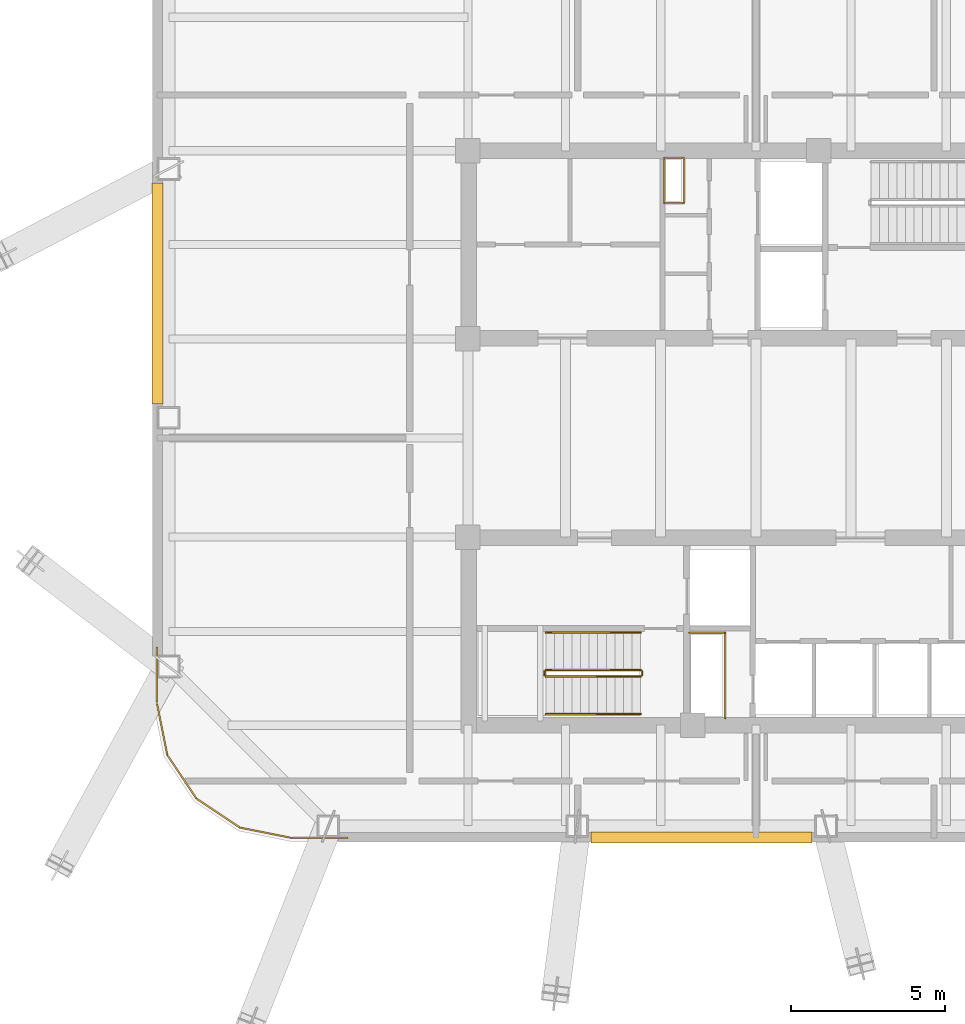
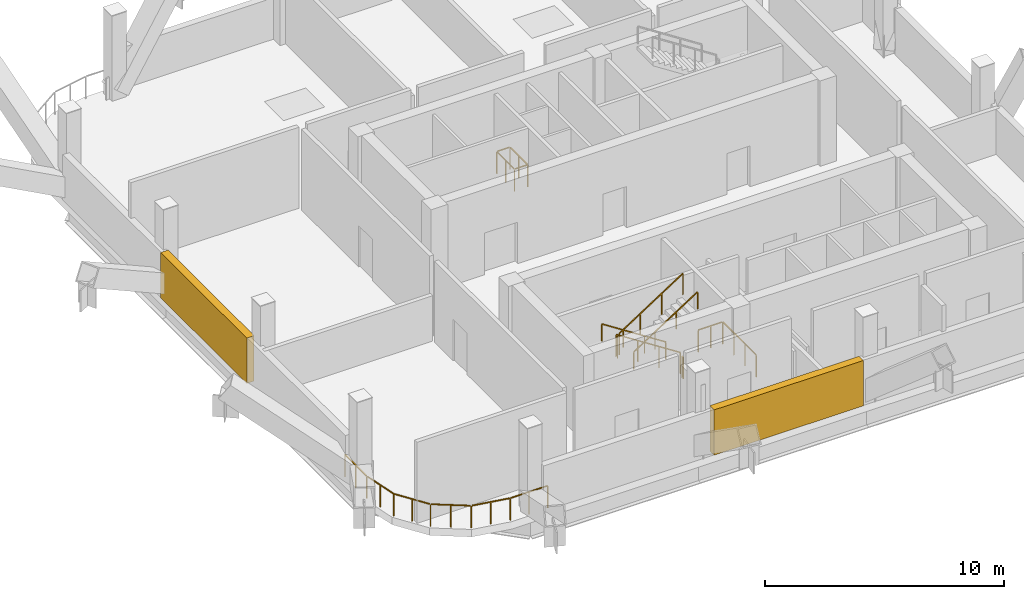
# One storey, part 6 of 8: 9 railings, 2 shading devices.
"""IFC4 building model written with IfcOpenShell, lengths in metres."""

from ifc_helpers import new_model, si_unit, direction, frame, origin, origin_2d, place, context, subcontext, project, spatial, rectangle, extrude, material, type_object, element, save


model = new_model("IFC4")

# Units and contexts
model_context = context("Model", 3, precision=1e-05, world=origin(), true_north=direction((0.0, 1.0)))
body_context = subcontext(model_context, "Body", "Model", "MODEL_VIEW")
ifc_project = project(units=[si_unit("LENGTHUNIT", "METRE"), si_unit("AREAUNIT", "SQUARE_METRE"), si_unit("VOLUMEUNIT", "CUBIC_METRE"), si_unit("PLANEANGLEUNIT", "RADIAN"), si_unit("MASSUNIT", "GRAM", prefix="KILO")], contexts=[model_context])

# Site, building, storey
site_placement = place(None, origin())
site = spatial("IfcSite", under=ifc_project, at=site_placement, CompositionType="ELEMENT")
building_placement = place(site_placement, origin())
building = spatial("IfcBuilding", under=site, at=building_placement, Name="Qhalaya Broadcast Tower", CompositionType="ELEMENT")
storey_placement = place(building_placement, frame((0.0, 0.0, 151.800048828125)))
storey = spatial("IfcBuildingStorey", under=building, at=storey_placement, Name="L44", CompositionType="ELEMENT", Elevation=151.800048828125)

# Shading devices
ifc_material_1 = material(Name="Fired Architectural Terracotta", Category="masonry")
shading_device_type = type_object("IfcShadingDeviceType", Name="Plant & Turbine-Slot Acoustic Louvre Screen LVS-01", PredefinedType="USERDEFINED", material=ifc_material_1)
for number, where, z_axis, x_axis, name in (
    (1, (-1.77001953125, -12.39990234375, 0.0), (0.0, 0.0, 1.0), (-1.0, 0.0, 0.0), "L44 Plant Acoustic Louvre Screen S"),
    (2, (-19.47998046875, 5.31005859375, 0.0), (0.0, 0.0, 1.0), (0.0, 1.0, 0.0), "L44 Plant Acoustic Louvre Screen W"),
):
    element("IfcShadingDevice", number, at=place(storey_placement, frame(where, z_axis=z_axis, x_axis=x_axis)), inside=storey, type_object=shading_device_type, Name=name, ObjectType="LOUVRE", PredefinedType="USERDEFINED", context=body_context, shape_type="SweptSolid", body=[
        extrude(rectangle(XDim=7.199951171875, YDim=0.360107421875, at=origin_2d()), origin(), (0.0, 0.0, 1.0), 2.31005859375),
    ])

# Railings
ifc_material_2 = material(Name="Powder-Coated Galvanised Steel", Category="steel")
railing_type_1 = type_object("IfcRailingType", Name="Stair Wall Handrail 900", PredefinedType="HANDRAIL", material=ifc_material_2)
railing_1_placement = place(storey_placement, frame((-3.75, -5.72998046875, 0.18115234375)))
element("IfcRailing", 3, at=railing_1_placement, inside=storey, type_object=railing_type_1, Name="L44 ST-2 Stair Handrail 1", PredefinedType="HANDRAIL", context=body_context, shape_type="SweptSolid", body=[
    extrude(rectangle(XDim=0.048095703125, YDim=0.048095703125, at=origin_2d()), frame((0.0, 0.0, 0.8759765625), z_axis=(-0.8394576718, 0.0, 0.543425079708), x_axis=(0.0, -1.0, 0.0)), (0.0, 0.0, 1.0), 3.669189453125),
    extrude(rectangle(XDim=0.0419921875, YDim=0.0419921875, at=origin_2d()), origin(), (0.0, 0.0, 1.0), 0.849853515625),
    extrude(rectangle(XDim=0.0419921875, YDim=0.0419921875, at=origin_2d()), frame((-1.026611328125, 0.0, 0.66455078125)), (0.0, 0.0, 1.0), 0.849853515625),
    extrude(rectangle(XDim=0.0419921875, YDim=0.0419921875, at=origin_2d()), frame((-2.053466796875, 0.0, 1.329345703125)), (0.0, 0.0, 1.0), 0.849853515625),
    extrude(rectangle(XDim=0.0419921875, YDim=0.0419921875, at=origin_2d()), frame((-3.080078125, 0.0, 1.993896484375)), (0.0, 0.0, 1.0), 0.849853515625),
])
railing_2_placement = place(storey_placement, frame((-6.830078125, -8.389892578125, 2.356201171875)))
element("IfcRailing", 4, at=railing_2_placement, inside=storey, type_object=railing_type_1, Name="L44 ST-2 Stair Handrail 2", PredefinedType="HANDRAIL", context=body_context, shape_type="SweptSolid", body=[
    extrude(rectangle(XDim=0.048095703125, YDim=0.048095703125, at=origin_2d()), frame((0.0, 0.0, 0.8759765625), z_axis=(0.839488025565, 0.0, 0.543378187759), x_axis=(0.0, 1.0, 0.0)), (0.0, 0.0, 1.0), 3.6689453125),
    extrude(rectangle(XDim=0.0419921875, YDim=0.0419921875, at=origin_2d()), origin(), (0.0, 0.0, 1.0), 0.849853515625),
    extrude(rectangle(XDim=0.0419921875, YDim=0.0419921875, at=origin_2d()), frame((1.026611328125, 0.0, 0.66455078125)), (0.0, 0.0, 1.0), 0.849853515625),
    extrude(rectangle(XDim=0.0419921875, YDim=0.0419921875, at=origin_2d()), frame((2.053466796875, 0.0, 1.3291015625)), (0.0, 0.0, 1.0), 0.849853515625),
    extrude(rectangle(XDim=0.0419921875, YDim=0.0419921875, at=origin_2d()), frame((3.080078125, 0.0, 1.99365234375)), (0.0, 0.0, 1.0), 0.849853515625),
])
railing_type_2 = type_object("IfcRailingType", Name="Stair Well & Landing Guardrail 1100", PredefinedType="GUARDRAIL", material=ifc_material_2)
railing_3_placement = place(storey_placement, frame((-2.340087890625, 8.239990234375, 0.0)))
element("IfcRailing", 5, at=railing_3_placement, inside=storey, type_object=railing_type_2, Name="L44 Service Riser Opening Safety Guard NRSR", PredefinedType="GUARDRAIL", context=body_context, shape_type="SweptSolid", body=[
    extrude(rectangle(XDim=0.048095703125, YDim=0.048095703125, at=origin_2d()), frame((0.0, 0.02880859375, 1.1259765625), z_axis=(0.0, 1.0, 0.0), x_axis=(-1.0, 0.0, 0.0)), (0.0, 0.0, 1.0), 1.42236328125),
    extrude(rectangle(XDim=0.048095703125, YDim=0.048095703125, at=origin_2d()), frame((-0.02880859375, 1.47998046875, 1.1259765625), z_axis=(-1.0, 0.0, 0.0), x_axis=(0.0, -1.0, 0.0)), (0.0, 0.0, 1.0), 0.582275390625),
    extrude(rectangle(XDim=0.048095703125, YDim=0.048095703125, at=origin_2d()), frame((-0.639892578125, 1.451171875, 1.1259765625), z_axis=(0.0, -1.0, 0.0), x_axis=(1.0, 0.0, 0.0)), (0.0, 0.0, 1.0), 1.42236328125),
    extrude(rectangle(XDim=0.048095703125, YDim=0.048095703125, at=origin_2d()), frame((-0.611083984375, 0.0, 1.1259765625), z_axis=(1.0, 0.0, 0.0), x_axis=(0.0, 1.0, 0.0)), (0.0, 0.0, 1.0), 0.582275390625),
    extrude(rectangle(XDim=0.0419921875, YDim=0.0419921875, at=origin_2d()), origin(), (0.0, 0.0, 1.0), 1.099853515625),
    extrude(rectangle(XDim=0.0419921875, YDim=0.0419921875, at=origin_2d()), frame((0.0, 0.739990234375, 0.0)), (0.0, 0.0, 1.0), 1.099853515625),
    extrude(rectangle(XDim=0.0419921875, YDim=0.0419921875, at=origin_2d()), frame((0.0, 1.47998046875, 0.0)), (0.0, 0.0, 1.0), 1.099853515625),
    extrude(rectangle(XDim=0.0419921875, YDim=0.0419921875, at=origin_2d()), frame((-0.639892578125, 1.47998046875, 0.0)), (0.0, 0.0, 1.0), 1.099853515625),
    extrude(rectangle(XDim=0.0419921875, YDim=0.0419921875, at=origin_2d()), frame((-0.639892578125, 0.739990234375, 0.0)), (0.0, 0.0, 1.0), 1.099853515625),
    extrude(rectangle(XDim=0.0419921875, YDim=0.0419921875, at=origin_2d()), frame((-0.639892578125, 0.0, 0.0)), (0.0, 0.0, 1.0), 1.099853515625),
])
railing_4_placement = place(storey_placement, frame((-1.0, -8.52001953125, 0.0)))
element("IfcRailing", 6, at=railing_4_placement, inside=storey, type_object=railing_type_2, Name="L44 Service Riser Opening Safety Guard SRSR", PredefinedType="GUARDRAIL", context=body_context, shape_type="SweptSolid", body=[
    extrude(rectangle(XDim=0.048095703125, YDim=0.048095703125, at=origin_2d()), frame((0.0, 0.0, 1.1259765625), z_axis=(0.0, 1.0, 0.0), x_axis=(-1.0, 0.0, 0.0)), (0.0, 0.0, 1.0), 2.751220703125),
    extrude(rectangle(XDim=0.048095703125, YDim=0.048095703125, at=origin_2d()), frame((-0.02880859375, 2.780029296875, 1.1259765625), z_axis=(-1.0, 0.0, 0.0), x_axis=(0.0, -1.0, 0.0)), (0.0, 0.0, 1.0), 1.151123046875),
    extrude(rectangle(XDim=0.0419921875, YDim=0.0419921875, at=origin_2d()), origin(), (0.0, 0.0, 1.0), 1.099853515625),
    extrude(rectangle(XDim=0.0419921875, YDim=0.0419921875, at=origin_2d()), frame((0.0, 0.9267578125, 0.0)), (0.0, 0.0, 1.0), 1.099853515625),
    extrude(rectangle(XDim=0.0419921875, YDim=0.0419921875, at=origin_2d()), frame((0.0, 1.853271484375, 0.0)), (0.0, 0.0, 1.0), 1.099853515625),
    extrude(rectangle(XDim=0.0419921875, YDim=0.0419921875, at=origin_2d()), frame((0.0, 2.780029296875, 0.0)), (0.0, 0.0, 1.0), 1.099853515625),
    extrude(rectangle(XDim=0.0419921875, YDim=0.0419921875, at=origin_2d()), frame((-0.58984375, 2.780029296875, 0.0)), (0.0, 0.0, 1.0), 1.099853515625),
    extrude(rectangle(XDim=0.0419921875, YDim=0.0419921875, at=origin_2d()), frame((-1.179931640625, 2.780029296875, 0.0)), (0.0, 0.0, 1.0), 1.099853515625),
])
railing_5_placement = place(storey_placement, frame((-3.75, -6.949951171875, 0.18115234375)))
element("IfcRailing", 7, at=railing_5_placement, inside=storey, type_object=railing_type_2, Name="L44 ST-2 Stair Guard 1", PredefinedType="GUARDRAIL", context=body_context, shape_type="SweptSolid", body=[
    extrude(rectangle(XDim=0.048095703125, YDim=0.048095703125, at=origin_2d()), frame((0.0, 0.0, 1.076171875), z_axis=(-0.8394576718, 0.0, 0.543425079708), x_axis=(0.0, -1.0, 0.0)), (0.0, 0.0, 1.0), 3.669189453125),
    extrude(rectangle(XDim=0.0419921875, YDim=0.0419921875, at=origin_2d()), origin(), (0.0, 0.0, 1.0), 1.050048828125),
    extrude(rectangle(XDim=0.0419921875, YDim=0.0419921875, at=origin_2d()), frame((-1.026611328125, 0.0, 0.66455078125)), (0.0, 0.0, 1.0), 1.050048828125),
    extrude(rectangle(XDim=0.0419921875, YDim=0.0419921875, at=origin_2d()), frame((-2.053466796875, 0.0, 1.329345703125)), (0.0, 0.0, 1.0), 1.050048828125),
    extrude(rectangle(XDim=0.0419921875, YDim=0.0419921875, at=origin_2d()), frame((-3.080078125, 0.0, 1.993896484375)), (0.0, 0.0, 1.0), 1.050048828125),
])
railing_6_placement = place(storey_placement, frame((-6.8798828125, -7.0, 2.175048828125)))
element("IfcRailing", 8, at=railing_6_placement, inside=storey, type_object=railing_type_2, Name="L44 ST-2 Stair Guard 2", PredefinedType="GUARDRAIL", context=body_context, shape_type="SweptSolid", body=[
    extrude(rectangle(XDim=0.048095703125, YDim=0.048095703125, at=origin_2d()), frame((0.0, 0.0, 1.076171875), z_axis=(0.0, -1.0, 0.0), x_axis=(1.0, 0.0, 0.0)), (0.0, 0.0, 1.0), 0.1201171875),
    extrude(rectangle(XDim=0.0419921875, YDim=0.0419921875, at=origin_2d()), origin(), (0.0, 0.0, 1.0), 1.050048828125),
    extrude(rectangle(XDim=0.0419921875, YDim=0.0419921875, at=origin_2d()), frame((0.0, -0.1201171875, 0.0)), (0.0, 0.0, 1.0), 1.050048828125),
])
railing_7_placement = place(storey_placement, frame((-6.830078125, -7.169921875, 2.356201171875)))
element("IfcRailing", 9, at=railing_7_placement, inside=storey, type_object=railing_type_2, Name="L44 ST-2 Stair Guard 3", PredefinedType="GUARDRAIL", context=body_context, shape_type="SweptSolid", body=[
    extrude(rectangle(XDim=0.048095703125, YDim=0.048095703125, at=origin_2d()), frame((0.0, 0.0, 1.076171875), z_axis=(0.839488025565, 0.0, 0.543378187759), x_axis=(0.0, 1.0, 0.0)), (0.0, 0.0, 1.0), 3.6689453125),
    extrude(rectangle(XDim=0.0419921875, YDim=0.0419921875, at=origin_2d()), origin(), (0.0, 0.0, 1.0), 1.050048828125),
    extrude(rectangle(XDim=0.0419921875, YDim=0.0419921875, at=origin_2d()), frame((1.026611328125, 0.0, 0.66455078125)), (0.0, 0.0, 1.0), 1.050048828125),
    extrude(rectangle(XDim=0.0419921875, YDim=0.0419921875, at=origin_2d()), frame((2.053466796875, 0.0, 1.3291015625)), (0.0, 0.0, 1.0), 1.050048828125),
    extrude(rectangle(XDim=0.0419921875, YDim=0.0419921875, at=origin_2d()), frame((3.080078125, 0.0, 1.99365234375)), (0.0, 0.0, 1.0), 1.050048828125),
])
railing_8_placement = place(storey_placement, frame((-3.699951171875, -7.0, 0.0)))
element("IfcRailing", 10, at=railing_8_placement, inside=storey, type_object=railing_type_2, Name="L44 ST-2 Stair Guard 4", PredefinedType="GUARDRAIL", context=body_context, shape_type="SweptSolid", body=[
    extrude(rectangle(XDim=0.048095703125, YDim=0.048095703125, at=origin_2d()), frame((0.0, 0.0, 1.076171875), z_axis=(0.0, -1.0, 0.0), x_axis=(1.0, 0.0, 0.0)), (0.0, 0.0, 1.0), 0.1201171875),
    extrude(rectangle(XDim=0.0419921875, YDim=0.0419921875, at=origin_2d()), origin(), (0.0, 0.0, 1.0), 1.050048828125),
    extrude(rectangle(XDim=0.0419921875, YDim=0.0419921875, at=origin_2d()), frame((0.0, -0.1201171875, 0.0)), (0.0, 0.0, 1.0), 1.050048828125),
])
railing_type_3 = type_object("IfcRailingType", Name="Terrace, Sky-Pool & Lookout Glass Balustrade 1150", PredefinedType="BALUSTRADE", material=ifc_material_2)
railing_9_placement = place(storey_placement, frame((-13.302001953125, -12.419921875, 0.0)))
element("IfcRailing", 11, at=railing_9_placement, inside=storey, type_object=railing_type_3, Name="L44 Rounded Corner Perimeter Guard 02", PredefinedType="BALUSTRADE", context=body_context, shape_type="SweptSolid", body=[
    extrude(rectangle(XDim=0.048095703125, YDim=0.048095703125, at=origin_2d()), frame((0.0, 0.0, 1.1259765625), z_axis=(-1.0, 0.0, 0.0), x_axis=(0.0, -1.0, 0.0)), (0.0, 0.0, 1.0), 1.77734375),
    extrude(rectangle(XDim=0.048095703125, YDim=0.048095703125, at=origin_2d()), frame((-1.83447265625, 0.005615234375, 1.1259765625), z_axis=(-0.980803832953, 0.194997028864, 0.0), x_axis=(-0.194997028864, -0.980803832953, 0.0)), (0.0, 0.0, 1.0), 1.66259765625),
    extrude(rectangle(XDim=0.048095703125, YDim=0.048095703125, at=origin_2d()), frame((-3.517333984375, 0.3515625, 1.1259765625), z_axis=(-0.831456085426, 0.555590476887, 0.0), x_axis=(-0.555590476887, -0.831456085426, 0.0)), (0.0, 0.0, 1.0), 1.650390625),
    extrude(rectangle(XDim=0.048095703125, YDim=0.048095703125, at=origin_2d()), frame((-4.9296875, 1.308349609375, 1.1259765625), z_axis=(-0.555590476887, 0.831456085426, 0.0), x_axis=(-0.831456085426, -0.555590476887, 0.0)), (0.0, 0.0, 1.0), 1.650390625),
    extrude(rectangle(XDim=0.048095703125, YDim=0.048095703125, at=origin_2d()), frame((-5.8681640625, 2.73291015625, 1.1259765625), z_axis=(-0.195024175165, 0.980798435511, 0.0), x_axis=(-0.980798435511, -0.195024175165, 0.0)), (0.0, 0.0, 1.0), 1.662353515625),
    extrude(rectangle(XDim=0.048095703125, YDim=0.048095703125, at=origin_2d()), frame((-6.197998046875, 4.42041015625, 1.1259765625), z_axis=(0.0, 1.0, 0.0), x_axis=(-1.0, 0.0, 0.0)), (0.0, 0.0, 1.0), 1.777587890625),
    extrude(rectangle(XDim=0.0419921875, YDim=0.0419921875, at=origin_2d()), origin(), (0.0, 0.0, 1.0), 1.099853515625),
    extrude(rectangle(XDim=0.0419921875, YDim=0.0419921875, at=origin_2d()), frame((-0.903076171875, 0.0, 0.0)), (0.0, 0.0, 1.0), 1.099853515625),
    extrude(rectangle(XDim=0.0419921875, YDim=0.0419921875, at=origin_2d()), frame((-1.80615234375, 0.0, 0.0)), (0.0, 0.0, 1.0), 1.099853515625),
    extrude(rectangle(XDim=0.0419921875, YDim=0.0419921875, at=origin_2d()), frame((-2.64990234375, 0.167724609375, 0.0)), (0.0, 0.0, 1.0), 1.099853515625),
    extrude(rectangle(XDim=0.0419921875, YDim=0.0419921875, at=origin_2d()), frame((-3.493408203125, 0.33544921875, 0.0)), (0.0, 0.0, 1.0), 1.099853515625),
    extrude(rectangle(XDim=0.0419921875, YDim=0.0419921875, at=origin_2d()), frame((-4.20361328125, 0.81005859375, 0.0)), (0.0, 0.0, 1.0), 1.099853515625),
    extrude(rectangle(XDim=0.0419921875, YDim=0.0419921875, at=origin_2d()), frame((-4.91357421875, 1.284423828125, 0.0)), (0.0, 0.0, 1.0), 1.099853515625),
    extrude(rectangle(XDim=0.0419921875, YDim=0.0419921875, at=origin_2d()), frame((-5.38818359375, 1.99462890625, 0.0)), (0.0, 0.0, 1.0), 1.099853515625),
    extrude(rectangle(XDim=0.0419921875, YDim=0.0419921875, at=origin_2d()), frame((-5.862548828125, 2.70458984375, 0.0)), (0.0, 0.0, 1.0), 1.099853515625),
    extrude(rectangle(XDim=0.0419921875, YDim=0.0419921875, at=origin_2d()), frame((-6.0302734375, 3.548095703125, 0.0)), (0.0, 0.0, 1.0), 1.099853515625),
    extrude(rectangle(XDim=0.0419921875, YDim=0.0419921875, at=origin_2d()), frame((-6.197998046875, 4.3916015625, 0.0)), (0.0, 0.0, 1.0), 1.099853515625),
    extrude(rectangle(XDim=0.0419921875, YDim=0.0419921875, at=origin_2d()), frame((-6.197998046875, 5.294921875, 0.0)), (0.0, 0.0, 1.0), 1.099853515625),
    extrude(rectangle(XDim=0.0419921875, YDim=0.0419921875, at=origin_2d()), frame((-6.197998046875, 6.197998046875, 0.0)), (0.0, 0.0, 1.0), 1.099853515625),
])

save(model, "model.ifc")
